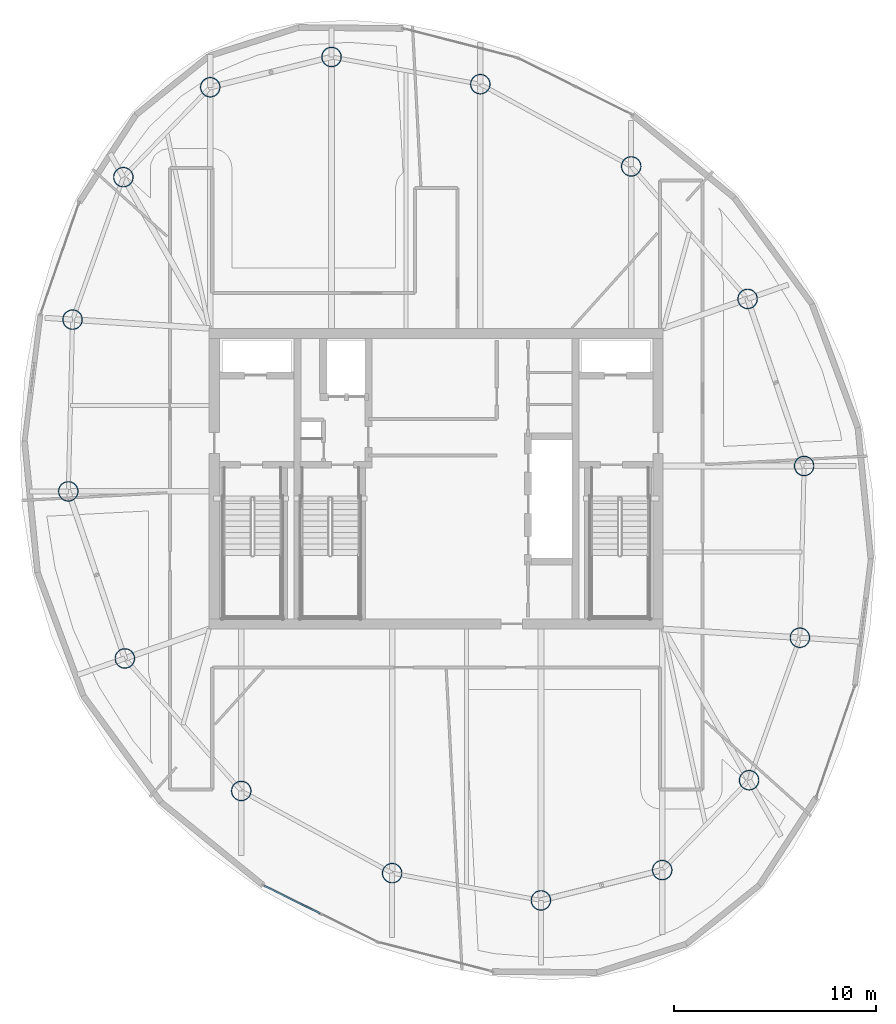
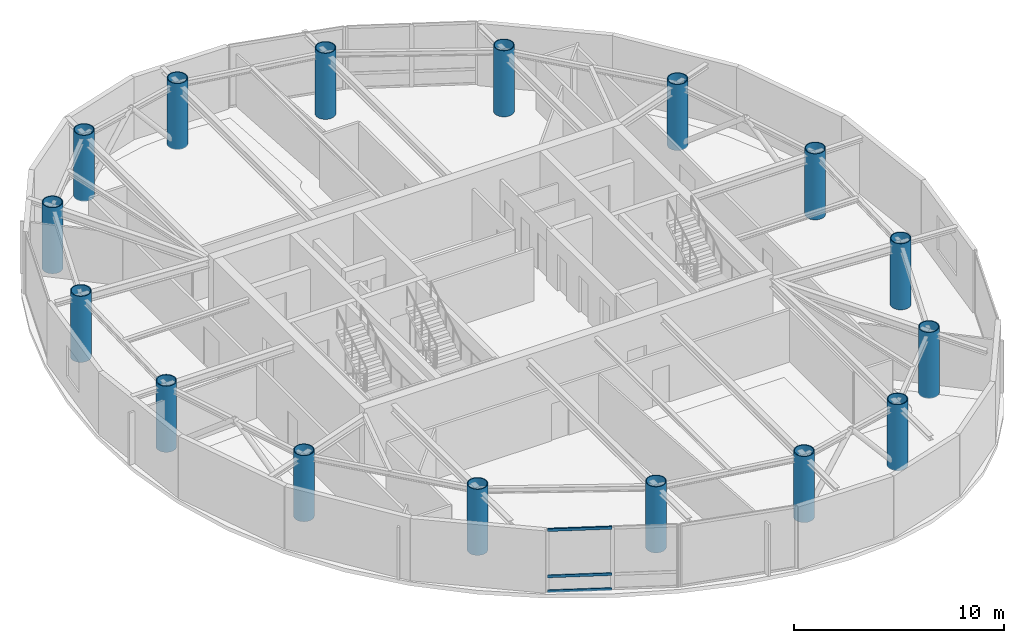
# One storey, part 1 of 17: 16 columns, 3 members, 1 element without a shape of its own.
"""IFC4 building model written with IfcOpenShell, lengths in metres."""

from ifc_helpers import new_model, si_unit, direction, frame, origin, origin_2d, place, context, subcontext, project, spatial, hollow_rectangle, hollow_circle, extrude, material, layer, layer_set, material_profile, profile_set, type_object, element, aggregate, save


model = new_model("IFC4")

# Units and contexts
model_context = context("Model", 3, precision=1e-05, world=origin(), true_north=direction((0.0, 1.0)))
body_context = subcontext(model_context, "Body", "Model", "MODEL_VIEW")
ifc_project = project(units=[si_unit("LENGTHUNIT", "METRE"), si_unit("AREAUNIT", "SQUARE_METRE"), si_unit("VOLUMEUNIT", "CUBIC_METRE"), si_unit("PLANEANGLEUNIT", "RADIAN"), si_unit("MASSUNIT", "GRAM", prefix="KILO")], contexts=[model_context])

# Site, building, storey
site_placement = place(None, origin())
site = spatial("IfcSite", under=ifc_project, at=site_placement, CompositionType="ELEMENT")
building_placement = place(site_placement, origin())
building = spatial("IfcBuilding", under=site, at=building_placement, Name="Bramvorn Convention Spire", CompositionType="ELEMENT")
storey_placement = place(building_placement, frame((0.0, 0.0, 280.550048828125)))
storey = spatial("IfcBuildingStorey", under=building, at=storey_placement, Name="L71", CompositionType="ELEMENT", Elevation=280.550048828125)

# Columns
ifc_material_1 = material(Name="Steel CSA G40.21 Grade 350 (350W)", Category="steel")
ifc_material_profile_1 = material_profile(ifc_material_1, hollow_circle(Radius=0.5, WallThickness=0.044921875, at=origin_2d()))
ifc_profile_set_1 = profile_set([ifc_material_profile_1], Name="Steel CSA G40.21 Grade 350 (350W) - CFT1000X45")
column_type = type_object("IfcColumnType", Name="COL-CFT1000X45", PredefinedType="COLUMN", material=ifc_profile_set_1)
for number, where, z_axis, x_axis, name in (
    (1, (49.199951171875, 6.60107421875, 0.0), (0.0, 0.0, 1.0), (1.0, 0.0, 0.0), "L71 composite CFT mega-column MC01"),
    (2, (53.50634765625, 11.05615234375, 0.0), (0.0, 0.0, 1.0), (1.0, 0.0, 0.0), "L71 composite CFT mega-column MC02"),
    (3, (56.023681640625, 18.116455078125, 0.0), (0.0, 0.0, 1.0), (1.0, 0.0, 0.0), "L71 composite CFT mega-column MC03"),
    (4, (56.234619140625, 26.62939453125, 0.0), (0.0, 0.0, 1.0), (1.0, 0.0, 0.0), "L71 composite CFT mega-column MC04"),
    (5, (53.4326171875, 34.909912109375, 0.0), (0.0, 0.0, 1.0), (1.0, 0.0, 0.0), "L71 composite CFT mega-column MC05"),
    (6, (47.662353515625, 41.476806640625, 0.0), (0.0, 0.0, 1.0), (1.0, 0.0, 0.0), "L71 composite CFT mega-column MC06"),
    (7, (40.1845703125, 45.55078125, 0.0), (0.0, 0.0, 1.0), (1.0, 0.0, 0.0), "L71 composite CFT mega-column MC07"),
    (8, (32.8115234375, 46.90087890625, 0.0), (0.0, 0.0, 1.0), (1.0, 0.0, 0.0), "L71 composite CFT mega-column MC08"),
    (9, (26.800048828125, 45.39892578125, 0.0), (0.0, 0.0, 1.0), (1.0, 0.0, 0.0), "L71 composite CFT mega-column MC09"),
    (10, (22.49365234375, 40.94384765625, 0.0), (0.0, 0.0, 1.0), (1.0, 0.0, 0.0), "L71 composite CFT mega-column MC10"),
    (11, (19.976318359375, 33.883544921875, 0.0), (0.0, 0.0, 1.0), (1.0, 0.0, 0.0), "L71 composite CFT mega-column MC11"),
    (12, (19.765380859375, 25.37060546875, 0.0), (0.0, 0.0, 1.0), (1.0, 0.0, 0.0), "L71 composite CFT mega-column MC12"),
    (13, (22.5673828125, 17.090087890625, 0.0), (0.0, 0.0, 1.0), (1.0, 0.0, 0.0), "L71 composite CFT mega-column MC13"),
    (14, (28.337646484375, 10.523193359375, 0.0), (0.0, 0.0, 1.0), (1.0, 0.0, 0.0), "L71 composite CFT mega-column MC14"),
    (15, (35.8154296875, 6.44921875, 0.0), (0.0, 0.0, 1.0), (1.0, 0.0, 0.0), "L71 composite CFT mega-column MC15"),
    (16, (43.1884765625, 5.09912109375, 0.0), (0.0, 0.0, 1.0), (1.0, 0.0, 0.0), "L71 composite CFT mega-column MC16"),
):
    element("IfcColumn", number, at=place(storey_placement, frame(where, z_axis=z_axis, x_axis=x_axis)), inside=storey, type_object=column_type, Name=name, PredefinedType="COLUMN", context=body_context, shape_type="SweptSolid", body=[
        extrude(hollow_circle(Radius=0.5, WallThickness=0.044921875, at=origin_2d()), origin(), (0.0, 0.0, 1.0), 3.849853515625),
    ])

# Curtain wall, members
ifc_material_2 = material(Name="Anodised Bronze Unitised Curtain Wall", Category="aluminium")
ifc_layer = layer(ifc_material_2, 0.179931640625)
ifc_layer_set = layer_set([ifc_layer], Name="Anodised Bronze Unitised Curtain Wall - CW-OFF-FRIT")
curtain_wall_type = type_object("IfcCurtainWallType", Name="CW-OFF-FRIT", PredefinedType="USERDEFINED", material=ifc_layer_set)
curtain_wall_placement = place(storey_placement, origin())
curtain_wall = element("IfcCurtainWall", 17, at=curtain_wall_placement, inside=storey, type_object=curtain_wall_type, Name="L71 fritted glass curtain wall 21", ObjectType="UNITISED CURTAIN WALL", PredefinedType="USERDEFINED")
ifc_material_3 = material(Name="Anodised Bronze Aluminium 6063-T6", Category="aluminium")
ifc_material_profile_2 = material_profile(ifc_material_3, hollow_rectangle(XDim=0.080078125, YDim=0.159912109375, WallThickness=0.00390625, InnerFilletRadius=0.0009765625, OuterFilletRadius=0.00390625, at=origin_2d()))
ifc_profile_set_2 = profile_set([ifc_material_profile_2], Name="Anodised Bronze Aluminium 6063-T6 - CWT80X160")
member_type = type_object("IfcMemberType", Name="CW-TRN-150", PredefinedType="USERDEFINED", material=ifc_profile_set_2)
member_1_placement = place(storey_placement, frame((32.23681640625, 4.453369140625, 0.030029296875), z_axis=(-0.895926822858, 0.444201675012, 0.0), x_axis=(-0.444201675012, -0.895926822858, 0.0)))
member_1 = element("IfcMember", 18, at=member_1_placement, type_object=member_type, Name="CW3 transom 2.1", ObjectType="TRANSOM", PredefinedType="USERDEFINED", context=body_context, shape_type="SweptSolid", body=[
    extrude(hollow_rectangle(XDim=0.080078125, YDim=0.159912109375, WallThickness=0.00390625, InnerFilletRadius=0.0009765625, OuterFilletRadius=0.00390625, at=origin_2d()), origin(), (0.0, 0.0, 1.0), 3.082763671875),
])
member_2_placement = place(storey_placement, frame((32.23681640625, 4.453369140625, 0.89990234375), z_axis=(-0.895926822858, 0.444201675012, 0.0), x_axis=(-0.444201675012, -0.895926822858, 0.0)))
member_2 = element("IfcMember", 19, at=member_2_placement, type_object=member_type, Name="CW3 transom 2.2", ObjectType="TRANSOM", PredefinedType="USERDEFINED", context=body_context, shape_type="SweptSolid", body=[
    extrude(hollow_rectangle(XDim=0.080078125, YDim=0.159912109375, WallThickness=0.00390625, InnerFilletRadius=0.0009765625, OuterFilletRadius=0.00390625, at=origin_2d()), origin(), (0.0, 0.0, 1.0), 3.082763671875),
])
member_3_placement = place(storey_placement, frame((32.23681640625, 4.453369140625, 3.594970703125), z_axis=(-0.895926822858, 0.444201675012, 0.0), x_axis=(-0.444201675012, -0.895926822858, 0.0)))
member_3 = element("IfcMember", 20, at=member_3_placement, type_object=member_type, Name="CW3 transom 2.3", ObjectType="TRANSOM", PredefinedType="USERDEFINED", context=body_context, shape_type="SweptSolid", body=[
    extrude(hollow_rectangle(XDim=0.080078125, YDim=0.159912109375, WallThickness=0.00390625, InnerFilletRadius=0.0009765625, OuterFilletRadius=0.00390625, at=origin_2d()), origin(), (0.0, 0.0, 1.0), 3.082763671875),
])
aggregate(curtain_wall, [member_1, member_2, member_3])

save(model, "model.ifc")
